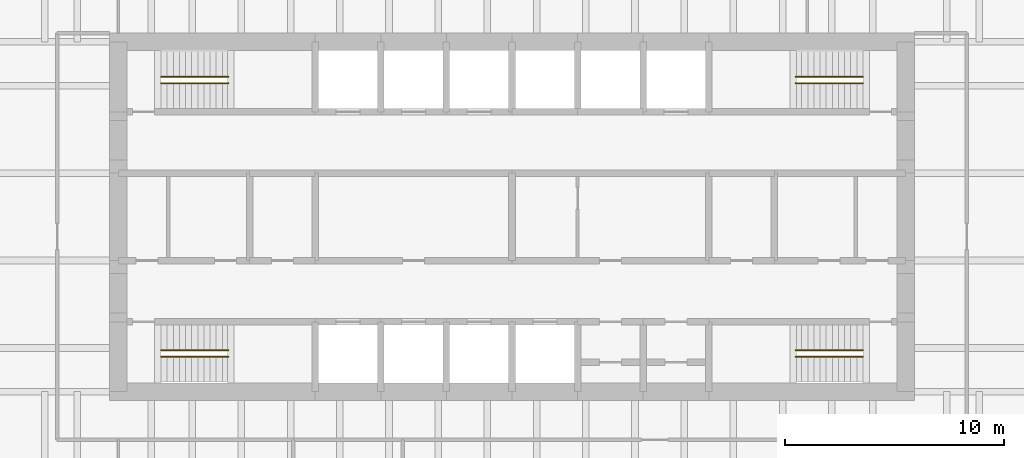
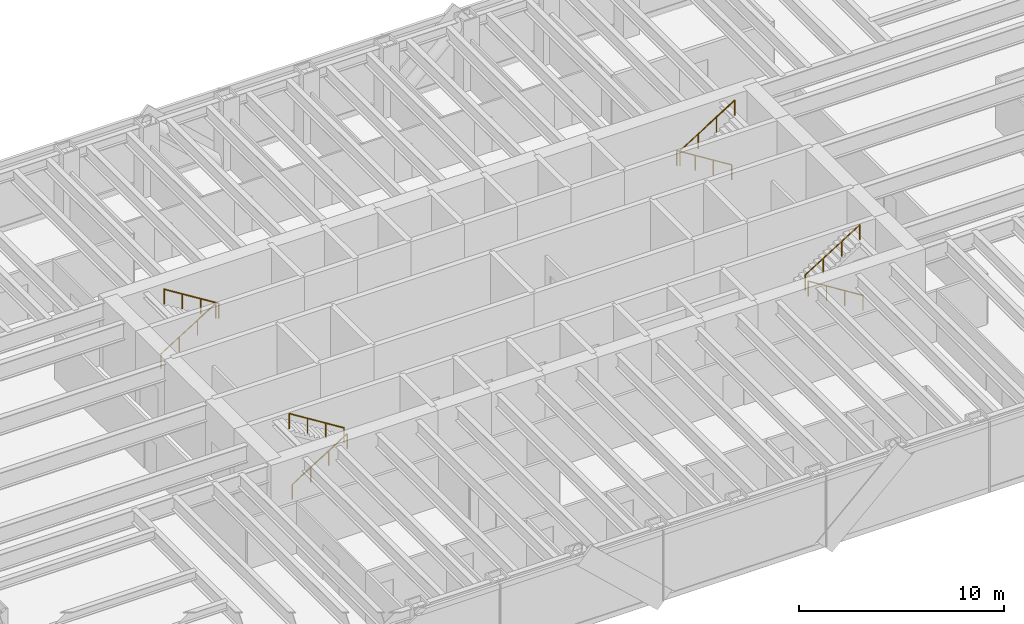
# One storey, part 17 of 17: 8 railings.
"""IFC4 building model written with IfcOpenShell, lengths in metres."""

from ifc_helpers import new_model, si_unit, direction, frame, origin, origin_2d, place, context, subcontext, project, spatial, circle, extrude, material, type_object, element, save


model = new_model("IFC4")

# Units and contexts
model_context = context("Model", 3, precision=1e-05, world=origin(), true_north=direction((0.0, 1.0)))
body_context = subcontext(model_context, "Body", "Model", "MODEL_VIEW")
ifc_project = project(units=[si_unit("LENGTHUNIT", "METRE"), si_unit("AREAUNIT", "SQUARE_METRE"), si_unit("VOLUMEUNIT", "CUBIC_METRE"), si_unit("PLANEANGLEUNIT", "RADIAN"), si_unit("MASSUNIT", "GRAM", prefix="KILO")], contexts=[model_context])

# Site, building, storey
site_placement = place(None, origin())
site = spatial("IfcSite", under=ifc_project, at=site_placement, CompositionType="ELEMENT")
building_placement = place(site_placement, origin())
building = spatial("IfcBuilding", under=site, at=building_placement, Name="Rheinbord Bourse Tower", CompositionType="ELEMENT")
storey_placement = place(building_placement, frame((0.0, 0.0, 190.0)))
storey = spatial("IfcBuildingStorey", under=building, at=storey_placement, Name="L42", CompositionType="ELEMENT", Elevation=190.0)

# Railings
ifc_material = material(Name="Steel handrail", Category="steel")
railing_type = type_object("IfcRailingType", Name="HANDRAIL 900", PredefinedType="HANDRAIL", material=ifc_material)
railing_1_placement = place(storey_placement, frame((19.949951171875, 17.60009765625, 0.175048828125)))
element("IfcRailing", 1, at=railing_1_placement, inside=storey, type_object=railing_type, Name="Handrail", PredefinedType="HANDRAIL", context=body_context, shape_type="SweptSolid", body=[
    extrude(circle(Radius=0.02392578125, at=origin_2d()), frame((0.0, 0.0, 0.8759765625), z_axis=(0.847998304005, 0.0, 0.529998940003), x_axis=(0.0, 1.0, 0.0)), (0.0, 0.0, 1.0), 3.632080078125),
    extrude(circle(Radius=0.02099609375, at=origin_2d()), origin(), (0.0, 0.0, 1.0), 0.851806640625),
    extrude(circle(Radius=0.02099609375, at=origin_2d()), frame((1.026611328125, 0.0, 0.6416015625)), (0.0, 0.0, 1.0), 0.851806640625),
    extrude(circle(Radius=0.02099609375, at=origin_2d()), frame((2.053466796875, 0.0, 1.283447265625)), (0.0, 0.0, 1.0), 0.851806640625),
    extrude(circle(Radius=0.02099609375, at=origin_2d()), frame((3.080078125, 0.0, 1.925048828125)), (0.0, 0.0, 1.0), 0.851806640625),
])
railing_2_placement = place(storey_placement, frame((23.030029296875, 17.89990234375, 2.27490234375)))
element("IfcRailing", 2, at=railing_2_placement, inside=storey, type_object=railing_type, Name="Handrail", PredefinedType="HANDRAIL", context=body_context, shape_type="SweptSolid", body=[
    extrude(circle(Radius=0.02392578125, at=origin_2d()), frame((0.0, 0.0, 0.8759765625), z_axis=(-0.847998304005, 0.0, 0.529998940003), x_axis=(0.0, -1.0, 0.0)), (0.0, 0.0, 1.0), 3.632080078125),
    extrude(circle(Radius=0.02099609375, at=origin_2d()), origin(), (0.0, 0.0, 1.0), 0.851806640625),
    extrude(circle(Radius=0.02099609375, at=origin_2d()), frame((-1.026611328125, 0.0, 0.6416015625)), (0.0, 0.0, 1.0), 0.851806640625),
    extrude(circle(Radius=0.02099609375, at=origin_2d()), frame((-2.053466796875, 0.0, 1.283447265625)), (0.0, 0.0, 1.0), 0.851806640625),
    extrude(circle(Radius=0.02099609375, at=origin_2d()), frame((-3.080078125, 0.0, 1.925048828125)), (0.0, 0.0, 1.0), 0.851806640625),
])
railing_3_placement = place(storey_placement, frame((19.949951171875, 30.39990234375, 0.175048828125)))
element("IfcRailing", 3, at=railing_3_placement, inside=storey, type_object=railing_type, Name="Handrail", PredefinedType="HANDRAIL", context=body_context, shape_type="SweptSolid", body=[
    extrude(circle(Radius=0.02392578125, at=origin_2d()), frame((0.0, 0.0, 0.8759765625), z_axis=(0.847998304005, 0.0, 0.529998940003), x_axis=(0.0, 1.0, 0.0)), (0.0, 0.0, 1.0), 3.632080078125),
    extrude(circle(Radius=0.02099609375, at=origin_2d()), origin(), (0.0, 0.0, 1.0), 0.851806640625),
    extrude(circle(Radius=0.02099609375, at=origin_2d()), frame((1.026611328125, 0.0, 0.6416015625)), (0.0, 0.0, 1.0), 0.851806640625),
    extrude(circle(Radius=0.02099609375, at=origin_2d()), frame((2.053466796875, 0.0, 1.283447265625)), (0.0, 0.0, 1.0), 0.851806640625),
    extrude(circle(Radius=0.02099609375, at=origin_2d()), frame((3.080078125, 0.0, 1.925048828125)), (0.0, 0.0, 1.0), 0.851806640625),
])
for number, where, name in (
    (4, (23.030029296875, 30.10009765625, 2.27490234375), "Handrail"),
    (5, (52.050048828125, 17.60009765625, 0.175048828125), "Handrail"),
):
    element("IfcRailing", number, at=place(storey_placement, frame(where)), inside=storey, type_object=railing_type, Name=name, PredefinedType="HANDRAIL", context=body_context, shape_type="SweptSolid", body=[
        extrude(circle(Radius=0.02392578125, at=origin_2d()), frame((0.0, 0.0, 0.8759765625), z_axis=(-0.847998304005, 0.0, 0.529998940003), x_axis=(0.0, -1.0, 0.0)), (0.0, 0.0, 1.0), 3.632080078125),
        extrude(circle(Radius=0.02099609375, at=origin_2d()), origin(), (0.0, 0.0, 1.0), 0.851806640625),
        extrude(circle(Radius=0.02099609375, at=origin_2d()), frame((-1.026611328125, 0.0, 0.6416015625)), (0.0, 0.0, 1.0), 0.851806640625),
        extrude(circle(Radius=0.02099609375, at=origin_2d()), frame((-2.053466796875, 0.0, 1.283447265625)), (0.0, 0.0, 1.0), 0.851806640625),
        extrude(circle(Radius=0.02099609375, at=origin_2d()), frame((-3.080078125, 0.0, 1.925048828125)), (0.0, 0.0, 1.0), 0.851806640625),
    ])
railing_4_placement = place(storey_placement, frame((48.969970703125, 17.89990234375, 2.27490234375)))
element("IfcRailing", 6, at=railing_4_placement, inside=storey, type_object=railing_type, Name="Handrail", PredefinedType="HANDRAIL", context=body_context, shape_type="SweptSolid", body=[
    extrude(circle(Radius=0.02392578125, at=origin_2d()), frame((0.0, 0.0, 0.8759765625), z_axis=(0.847998304005, 0.0, 0.529998940003), x_axis=(0.0, 1.0, 0.0)), (0.0, 0.0, 1.0), 3.632080078125),
    extrude(circle(Radius=0.02099609375, at=origin_2d()), origin(), (0.0, 0.0, 1.0), 0.851806640625),
    extrude(circle(Radius=0.02099609375, at=origin_2d()), frame((1.026611328125, 0.0, 0.6416015625)), (0.0, 0.0, 1.0), 0.851806640625),
    extrude(circle(Radius=0.02099609375, at=origin_2d()), frame((2.053466796875, 0.0, 1.283447265625)), (0.0, 0.0, 1.0), 0.851806640625),
    extrude(circle(Radius=0.02099609375, at=origin_2d()), frame((3.080078125, 0.0, 1.925048828125)), (0.0, 0.0, 1.0), 0.851806640625),
])
railing_5_placement = place(storey_placement, frame((52.050048828125, 30.39990234375, 0.175048828125)))
element("IfcRailing", 7, at=railing_5_placement, inside=storey, type_object=railing_type, Name="Handrail", PredefinedType="HANDRAIL", context=body_context, shape_type="SweptSolid", body=[
    extrude(circle(Radius=0.02392578125, at=origin_2d()), frame((0.0, 0.0, 0.8759765625), z_axis=(-0.847998304005, 0.0, 0.529998940003), x_axis=(0.0, -1.0, 0.0)), (0.0, 0.0, 1.0), 3.632080078125),
    extrude(circle(Radius=0.02099609375, at=origin_2d()), origin(), (0.0, 0.0, 1.0), 0.851806640625),
    extrude(circle(Radius=0.02099609375, at=origin_2d()), frame((-1.026611328125, 0.0, 0.6416015625)), (0.0, 0.0, 1.0), 0.851806640625),
    extrude(circle(Radius=0.02099609375, at=origin_2d()), frame((-2.053466796875, 0.0, 1.283447265625)), (0.0, 0.0, 1.0), 0.851806640625),
    extrude(circle(Radius=0.02099609375, at=origin_2d()), frame((-3.080078125, 0.0, 1.925048828125)), (0.0, 0.0, 1.0), 0.851806640625),
])
railing_6_placement = place(storey_placement, frame((48.969970703125, 30.10009765625, 2.27490234375)))
element("IfcRailing", 8, at=railing_6_placement, inside=storey, type_object=railing_type, Name="Handrail", PredefinedType="HANDRAIL", context=body_context, shape_type="SweptSolid", body=[
    extrude(circle(Radius=0.02392578125, at=origin_2d()), frame((0.0, 0.0, 0.8759765625), z_axis=(0.847998304005, 0.0, 0.529998940003), x_axis=(0.0, 1.0, 0.0)), (0.0, 0.0, 1.0), 3.632080078125),
    extrude(circle(Radius=0.02099609375, at=origin_2d()), origin(), (0.0, 0.0, 1.0), 0.851806640625),
    extrude(circle(Radius=0.02099609375, at=origin_2d()), frame((1.026611328125, 0.0, 0.6416015625)), (0.0, 0.0, 1.0), 0.851806640625),
    extrude(circle(Radius=0.02099609375, at=origin_2d()), frame((2.053466796875, 0.0, 1.283447265625)), (0.0, 0.0, 1.0), 0.851806640625),
    extrude(circle(Radius=0.02099609375, at=origin_2d()), frame((3.080078125, 0.0, 1.925048828125)), (0.0, 0.0, 1.0), 0.851806640625),
])

save(model, "model.ifc")
